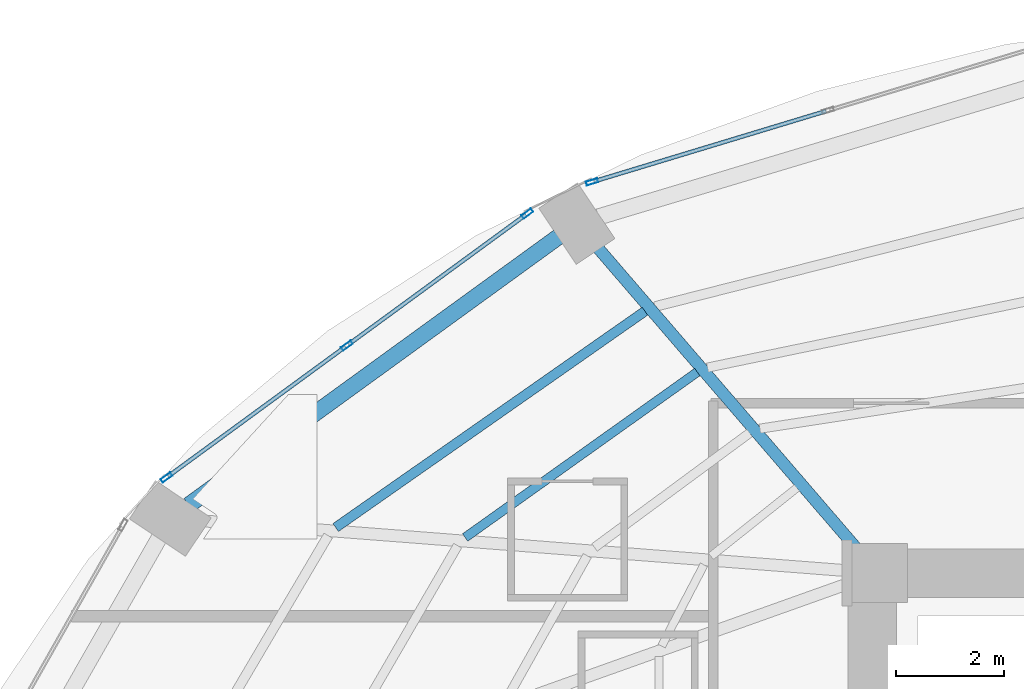
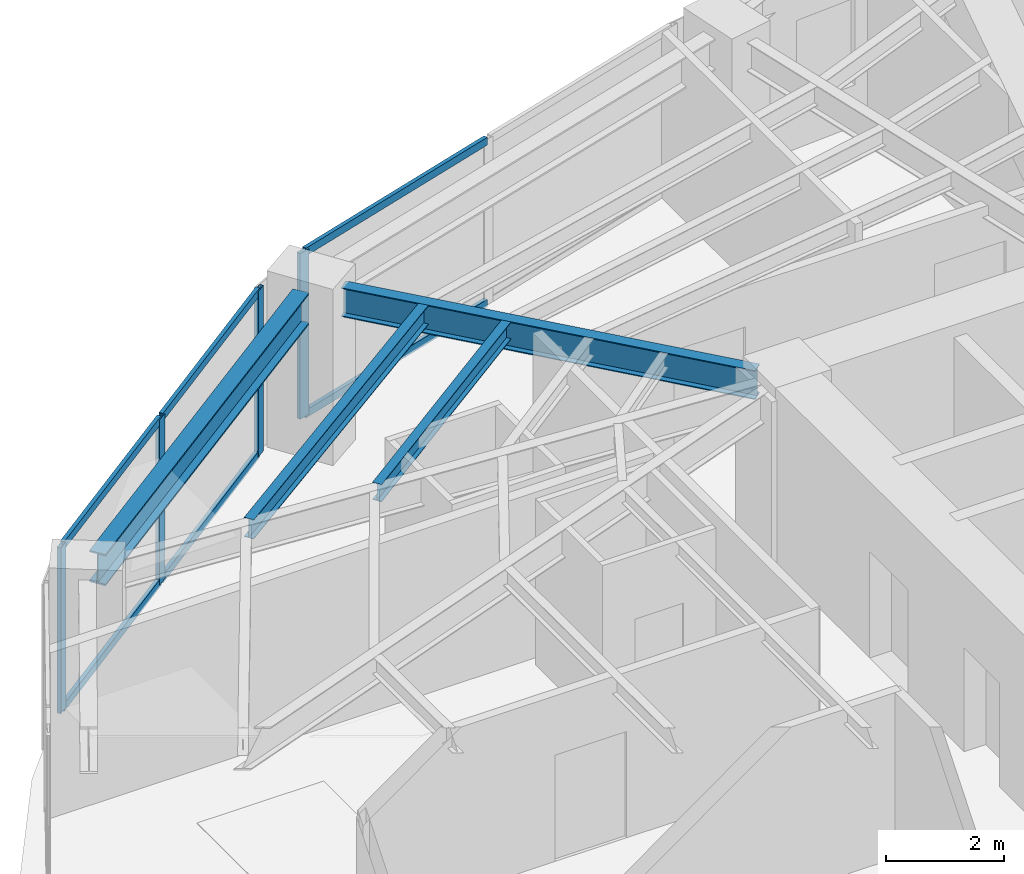
# One storey, part 13 of 25: 10 members, 4 beams, 2 elements without a shape of their own.
"""IFC4 building model written with IfcOpenShell, lengths in metres."""

from ifc_helpers import new_model, si_unit, direction, frame, origin, origin_2d, place, context, subcontext, project, spatial, hollow_rectangle, i_section, extrude, material, layer, layer_set, material_profile, profile_set, type_object, element, aggregate, save


model = new_model("IFC4")

# Units and contexts
model_context = context("Model", 3, precision=1e-05, world=origin(), true_north=direction((0.0, 1.0)))
body_context = subcontext(model_context, "Body", "Model", "MODEL_VIEW")
ifc_project = project(units=[si_unit("LENGTHUNIT", "METRE"), si_unit("AREAUNIT", "SQUARE_METRE"), si_unit("VOLUMEUNIT", "CUBIC_METRE"), si_unit("PLANEANGLEUNIT", "RADIAN"), si_unit("MASSUNIT", "GRAM", prefix="KILO")], contexts=[model_context])

# Site, building, storey
site_placement = place(None, origin())
site = spatial("IfcSite", under=ifc_project, at=site_placement, CompositionType="ELEMENT")
building_placement = place(site_placement, origin())
building = spatial("IfcBuilding", under=site, at=building_placement, Name="Lazwardi Medical Tower", CompositionType="ELEMENT")
storey_placement = place(building_placement, frame((0.0, 0.0, 28.847900390625)))
storey = spatial("IfcBuildingStorey", under=building, at=storey_placement, Name="L06", CompositionType="ELEMENT", Elevation=28.847900390625)

# Beams
ifc_material_1 = material(Name="Steel S355", Category="steel")
ifc_material_profile_1 = material_profile(ifc_material_1, i_section(OverallWidth=0.300048828125, OverallDepth=0.64990234375, WebThickness=0.01611328125, FlangeThickness=0.031005859375, at=origin_2d()), Name="HEB 650")
ifc_profile_set_1 = profile_set([ifc_material_profile_1], Name="Steel S355")
beam_type_1 = type_object("IfcBeamType", Name="BM-RB-Z1", PredefinedType="BEAM", material=ifc_profile_set_1)
beam_1_placement = place(storey_placement, frame((20.47900390625, 41.83740234375, 3.10302734375), z_axis=(-0.80939338516, -0.5872668457, 0.0), x_axis=(0.5872668457, -0.80939338516, 0.0)))
element("IfcBeam", 1, at=beam_1_placement, inside=storey, type_object=beam_type_1, Name="Ring beam RB-02 B10 L06", PredefinedType="BEAM", context=body_context, shape_type="SweptSolid", body=[
    extrude(i_section(OverallWidth=0.300048828125, OverallDepth=0.64990234375, WebThickness=0.01611328125, FlangeThickness=0.031005859375, at=origin_2d()), origin(), (0.0, 0.0, 1.0), 8.47412109375),
])
ifc_material_profile_2 = material_profile(ifc_material_1, i_section(OverallWidth=0.219970703125, OverallDepth=0.60009765625, WebThickness=0.011962890625, FlangeThickness=0.01904296875, at=origin_2d()), Name="IPE 600")
ifc_profile_set_2 = profile_set([ifc_material_profile_2], Name="Steel S355")
beam_type_2 = type_object("IfcBeamType", Name="BM-RG-W1", PredefinedType="BEAM", material=ifc_profile_set_2)
beam_2_placement = place(storey_placement, frame((21.197509765625, 41.644287109375, 3.128173828125), z_axis=(0.652368190463, -0.757902199543, 0.0), x_axis=(0.757902199543, 0.652368190463, 0.0)))
element("IfcBeam", 2, at=beam_2_placement, inside=storey, type_object=beam_type_2, Name="Radial girder RG-02 R10 L06", PredefinedType="BEAM", context=body_context, shape_type="SweptSolid", body=[
    extrude(i_section(OverallWidth=0.219970703125, OverallDepth=0.60009765625, WebThickness=0.011962890625, FlangeThickness=0.01904296875, at=origin_2d()), origin(), (0.0, 0.0, 1.0), 7.43994140625),
])
ifc_material_profile_3 = material_profile(ifc_material_1, i_section(OverallWidth=0.179931640625, OverallDepth=0.39990234375, WebThickness=0.008544921875, FlangeThickness=0.013427734375, at=origin_2d()), Name="IPE 400")
ifc_profile_set_3 = profile_set([ifc_material_profile_3], Name="Steel S355")
beam_type_3 = type_object("IfcBeamType", Name="BM-SJ-01", PredefinedType="JOIST", material=ifc_profile_set_3)
beam_3_placement = place(storey_placement, frame((22.08203125, 40.456298828125, 3.22802734375), z_axis=(-0.81942522483, -0.573186096231, 0.0), x_axis=(0.573186096231, -0.81942522483, 0.0)))
element("IfcBeam", 3, at=beam_3_placement, inside=storey, type_object=beam_type_3, Name="Secondary joist SJ-01 R1 B10 L06", PredefinedType="JOIST", context=body_context, shape_type="SweptSolid", body=[
    extrude(i_section(OverallWidth=0.179931640625, OverallDepth=0.39990234375, WebThickness=0.008544921875, FlangeThickness=0.013427734375, at=origin_2d()), origin(), (0.0, 0.0, 1.0), 6.999755859375),
])
ifc_material_profile_4 = material_profile(ifc_material_1, i_section(OverallWidth=0.169921875, OverallDepth=0.360107421875, WebThickness=0.008056640625, FlangeThickness=0.0126953125, at=origin_2d()), Name="IPE 360")
ifc_profile_set_4 = profile_set([ifc_material_profile_4], Name="Steel S355")
beam_type_4 = type_object("IfcBeamType", Name="BM-SJ-02", PredefinedType="JOIST", material=ifc_profile_set_4)
beam_4_placement = place(storey_placement, frame((23.05322265625, 39.327880859375, 3.248046875), z_axis=(-0.814341377136, -0.580386183058, 0.0), x_axis=(0.580386183058, -0.814341377136, 0.0)))
element("IfcBeam", 4, at=beam_4_placement, inside=storey, type_object=beam_type_4, Name="Secondary joist SJ-02 R2 B10 L06", PredefinedType="JOIST", context=body_context, shape_type="SweptSolid", body=[
    extrude(i_section(OverallWidth=0.169921875, OverallDepth=0.360107421875, WebThickness=0.008056640625, FlangeThickness=0.0126953125, at=origin_2d()), origin(), (0.0, 0.0, 1.0), 5.28759765625),
])

# Curtain wall, member
ifc_material_2 = material(Name="Anodised bronze aluminium and solar control glazing", Category="aluminium")
ifc_layer = layer(ifc_material_2, 0.199951171875)
ifc_layer_set = layer_set([ifc_layer], Name="Anodised bronze aluminium and solar control glazing")
curtain_wall_type = type_object("IfcCurtainWallType", Name="CW-SYS-02", PredefinedType="NOTDEFINED", material=ifc_layer_set)
curtain_wall_1_placement = place(storey_placement, origin())
curtain_wall_1 = element("IfcCurtainWall", 5, at=curtain_wall_1_placement, inside=storey, type_object=curtain_wall_type, Name="L06 Unitised bronze curtain wall CW-02", PredefinedType="NOTDEFINED")
ifc_material_3 = material(Name="Anodised bronze aluminium", Category="aluminium")
ifc_material_profile_5 = material_profile(ifc_material_3, hollow_rectangle(XDim=0.074951171875, YDim=0.219970703125, WallThickness=0.00390625, at=origin_2d()), Name="ALU-MULLION 220x75x4")
ifc_profile_set_5 = profile_set([ifc_material_profile_5], Name="Anodised bronze aluminium")
member_type_1 = type_object("IfcMemberType", Name="CW-MUL-01", PredefinedType="MULLION", material=ifc_profile_set_5)
member_1_placement = place(storey_placement, frame((21.1015625, 42.853271484375, 0.0), z_axis=(0.0, 0.0, 1.0), x_axis=(0.2898956909, -0.957058247129, 0.0)))
member_1 = element("IfcMember", 6, at=member_1_placement, type_object=member_type_1, Name="CW-02 mullion 3", PredefinedType="MULLION", context=body_context, shape_type="SweptSolid", body=[
    extrude(hollow_rectangle(XDim=0.074951171875, YDim=0.219970703125, WallThickness=0.00390625, at=origin_2d()), origin(), (0.0, 0.0, 1.0), 3.427978515625),
])

# Curtain wall, members
curtain_wall_2_placement = place(storey_placement, origin())
curtain_wall_2 = element("IfcCurtainWall", 7, at=curtain_wall_2_placement, inside=storey, type_object=curtain_wall_type, Name="L06 Unitised bronze curtain wall CW-02", PredefinedType="NOTDEFINED")
member_2_placement = place(storey_placement, frame((19.9013671875, 42.26611328125, 0.0), z_axis=(0.0, 0.0, 1.0), x_axis=(0.590289307341, -0.807191757663, 0.0)))
member_2 = element("IfcMember", 8, at=member_2_placement, type_object=member_type_1, Name="CW-02 mullion 1", PredefinedType="MULLION", context=body_context, shape_type="SweptSolid", body=[
    extrude(hollow_rectangle(XDim=0.074951171875, YDim=0.219970703125, WallThickness=0.00390625, at=origin_2d()), origin(), (0.0, 0.0, 1.0), 3.427978515625),
])
member_3_placement = place(storey_placement, frame((16.5556640625, 39.8193359375, 0.0), z_axis=(0.0, 0.0, 1.0), x_axis=(0.590289307341, -0.807191757663, 0.0)))
member_3 = element("IfcMember", 9, at=member_3_placement, type_object=member_type_1, Name="CW-02 mullion 2", PredefinedType="MULLION", context=body_context, shape_type="SweptSolid", body=[
    extrude(hollow_rectangle(XDim=0.074951171875, YDim=0.219970703125, WallThickness=0.00390625, at=origin_2d()), origin(), (0.0, 0.0, 1.0), 3.427978515625),
])
member_4_placement = place(storey_placement, frame((13.209716796875, 37.37255859375, 0.0), z_axis=(0.0, 0.0, 1.0), x_axis=(0.590289307341, -0.807191757663, 0.0)))
member_4 = element("IfcMember", 10, at=member_4_placement, type_object=member_type_1, Name="CW-02 mullion 3", PredefinedType="MULLION", context=body_context, shape_type="SweptSolid", body=[
    extrude(hollow_rectangle(XDim=0.074951171875, YDim=0.219970703125, WallThickness=0.00390625, at=origin_2d()), origin(), (0.0, 0.0, 1.0), 3.427978515625),
])

# Member
ifc_material_profile_6 = material_profile(ifc_material_3, hollow_rectangle(XDim=0.074951171875, YDim=0.159912109375, WallThickness=0.00390625, at=origin_2d()), Name="ALU-TRANSOM 160x75x4")
ifc_profile_set_6 = profile_set([ifc_material_profile_6], Name="Anodised bronze aluminium")
member_type_2 = type_object("IfcMemberType", Name="CW-TRN-01", PredefinedType="USERDEFINED", material=ifc_profile_set_6)
member_5_placement = place(storey_placement, frame((25.44091796875, 44.16748046875, 0.03759765625), z_axis=(-0.957062297904, -0.289882317383, 0.0), x_axis=(0.289882317383, -0.957062297904, 0.0)))
member_5 = element("IfcMember", 11, at=member_5_placement, type_object=member_type_2, Name="CW-02 transom 2.1", ObjectType="TRANSOM", PredefinedType="USERDEFINED", context=body_context, shape_type="SweptSolid", body=[
    extrude(hollow_rectangle(XDim=0.074951171875, YDim=0.159912109375, WallThickness=0.00390625, at=origin_2d()), origin(), (0.0, 0.0, 1.0), 4.49658203125),
])

member_6_placement = place(storey_placement, frame((25.44091796875, 44.16748046875, 3.390625), z_axis=(-0.957062297904, -0.289882317383, 0.0), x_axis=(0.289882317383, -0.957062297904, 0.0)))
member_6 = element("IfcMember", 12, at=member_6_placement, type_object=member_type_2, Name="CW-02 transom 2.2", ObjectType="TRANSOM", PredefinedType="USERDEFINED", context=body_context, shape_type="SweptSolid", body=[
    extrude(hollow_rectangle(XDim=0.074951171875, YDim=0.159912109375, WallThickness=0.00390625, at=origin_2d()), origin(), (0.0, 0.0, 1.0), 4.49658203125),
])

aggregate(curtain_wall_1, [member_1, member_5, member_6])

member_7_placement = place(storey_placement, frame((19.87109375, 42.243896484375, 0.03759765625), z_axis=(-0.807197636578, -0.590281268128, 0.0), x_axis=(0.590281268128, -0.807197636578, 0.0)))
member_7 = element("IfcMember", 13, at=member_7_placement, type_object=member_type_2, Name="CW-02 transom 1.1", ObjectType="TRANSOM", PredefinedType="USERDEFINED", context=body_context, shape_type="SweptSolid", body=[
    extrude(hollow_rectangle(XDim=0.074951171875, YDim=0.159912109375, WallThickness=0.00390625, at=origin_2d()), origin(), (0.0, 0.0, 1.0), 4.06982421875),
])

member_8_placement = place(storey_placement, frame((19.87109375, 42.243896484375, 3.390625), z_axis=(-0.807197636578, -0.590281268128, 0.0), x_axis=(0.590281268128, -0.807197636578, 0.0)))
member_8 = element("IfcMember", 14, at=member_8_placement, type_object=member_type_2, Name="CW-02 transom 1.2", ObjectType="TRANSOM", PredefinedType="USERDEFINED", context=body_context, shape_type="SweptSolid", body=[
    extrude(hollow_rectangle(XDim=0.074951171875, YDim=0.159912109375, WallThickness=0.00390625, at=origin_2d()), origin(), (0.0, 0.0, 1.0), 4.06982421875),
])

member_9_placement = place(storey_placement, frame((16.525390625, 39.797119140625, 0.03759765625), z_axis=(-0.807218536774, -0.590252686472, 0.0), x_axis=(0.590252686472, -0.807218536774, 0.0)))
member_9 = element("IfcMember", 15, at=member_9_placement, type_object=member_type_2, Name="CW-02 transom 2.1", ObjectType="TRANSOM", PredefinedType="USERDEFINED", context=body_context, shape_type="SweptSolid", body=[
    extrude(hollow_rectangle(XDim=0.074951171875, YDim=0.159912109375, WallThickness=0.00390625, at=origin_2d()), origin(), (0.0, 0.0, 1.0), 4.070068359375),
])

member_10_placement = place(storey_placement, frame((16.525390625, 39.797119140625, 3.390625), z_axis=(-0.807218536774, -0.590252686472, 0.0), x_axis=(0.590252686472, -0.807218536774, 0.0)))
member_10 = element("IfcMember", 16, at=member_10_placement, type_object=member_type_2, Name="CW-02 transom 2.2", ObjectType="TRANSOM", PredefinedType="USERDEFINED", context=body_context, shape_type="SweptSolid", body=[
    extrude(hollow_rectangle(XDim=0.074951171875, YDim=0.159912109375, WallThickness=0.00390625, at=origin_2d()), origin(), (0.0, 0.0, 1.0), 4.070068359375),
])

aggregate(curtain_wall_2, [member_2, member_3, member_4, member_7, member_8, member_9, member_10])

save(model, "model.ifc")
